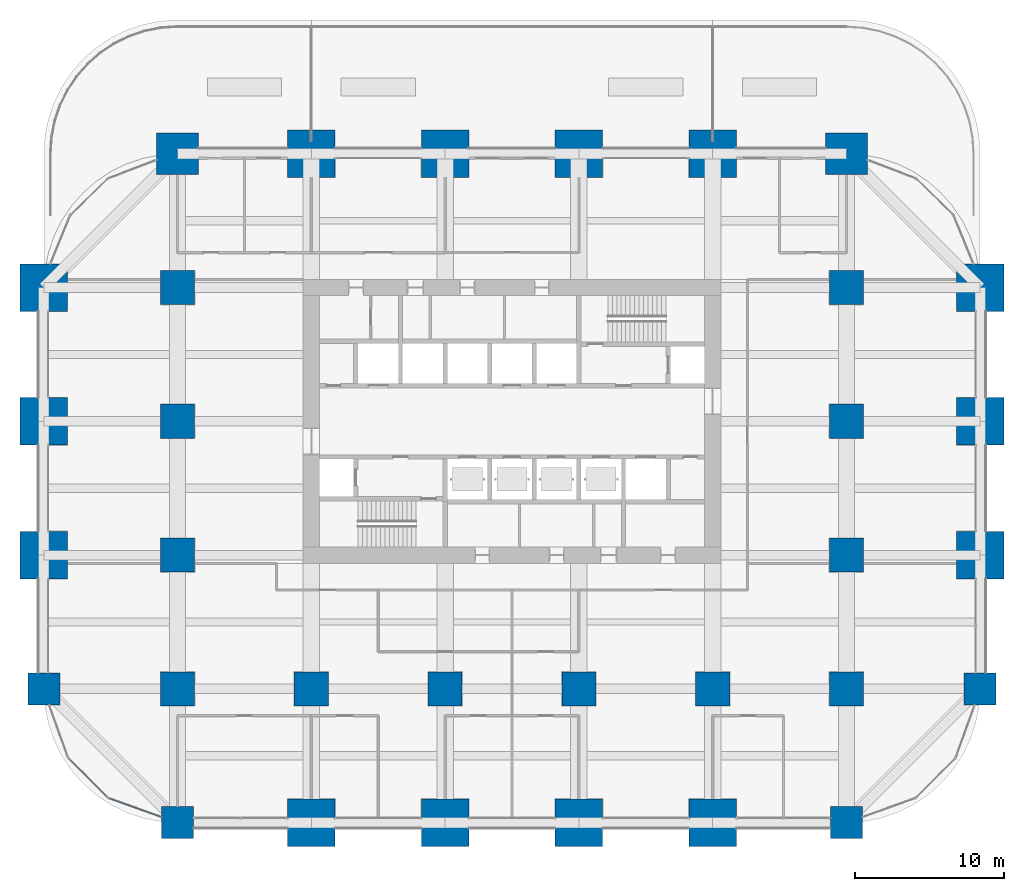
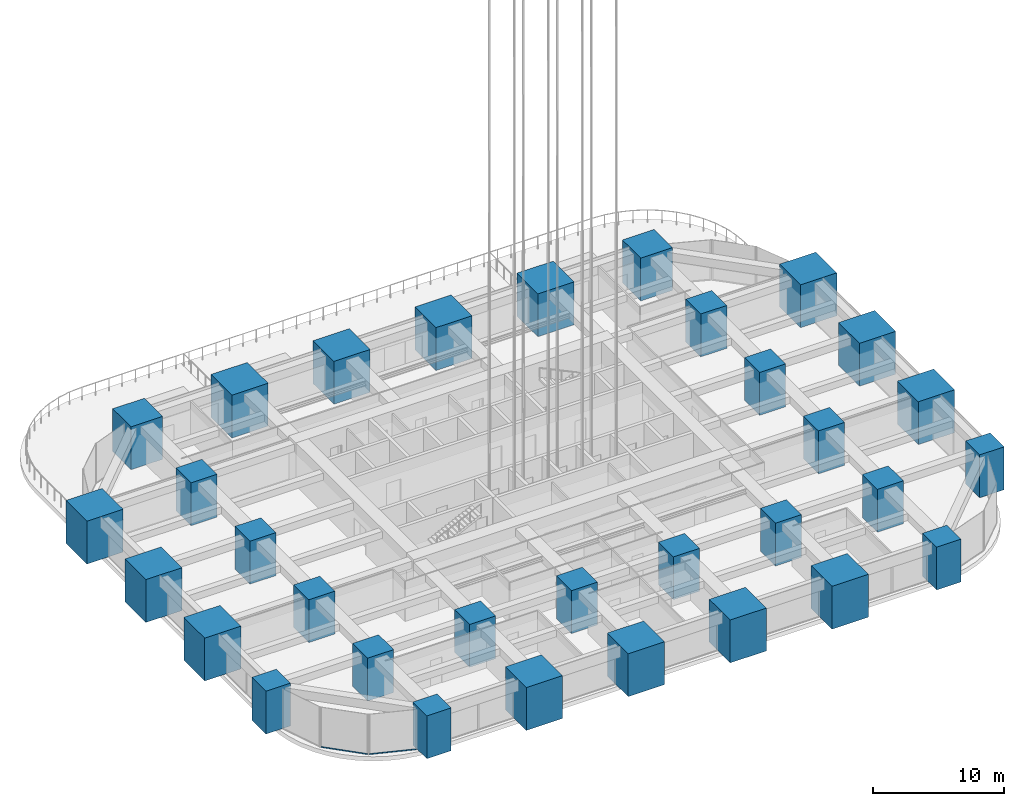
# One storey, part 1 of 50: 32 columns, 2 members, 2 elements without a shape of their own.
"""IFC4 building model written with IfcOpenShell, lengths in metres."""

import ifcopenshell
import ifcopenshell.guid

model = None  # the IFC model being written
_history = None  # IfcOwnerHistory: only IFC2X3 demands one
_inside = {}  # id of a spatial element -> (the spatial element, [elements in it])
_under = {}  # id of a project, library or spatial element -> (it, [spatial elements below it])
_declared = {}  # id of a project -> (the project, [libraries it declares])
_typed = {}  # id of a type object -> (the type object, [elements of that type])
_made_of = {}  # id of a material, layer set ... -> (it, [elements and type objects made of it])


def new_model(schema):
    """Start an empty IFC model of exactly this schema.

    Asked for "IFC4X3", IfcOpenShell would pick the latest addendum, in which some entities
    have other attributes; the version numbers below select the first issue.
    IFC2X3 requires an IfcOwnerHistory on every rooted entity: one is made here for all.
    """
    global model, _history
    if schema == "IFC4X3":
        model = ifcopenshell.file(schema_version=(4, 3, 0, 0))
    else:
        model = ifcopenshell.file(schema=schema)
    _inside.clear()
    _under.clear()
    _declared.clear()
    _typed.clear()
    _made_of.clear()
    _history = None
    if model.schema == "IFC2X3":
        org = make("IfcOrganization", Name="unknown")
        user = make(
            "IfcPersonAndOrganization",
            ThePerson=make("IfcPerson", FamilyName="unknown"),
            TheOrganization=org,
        )
        app = make(
            "IfcApplication",
            ApplicationDeveloper=org,
            Version="unknown",
            ApplicationFullName="unknown",
            ApplicationIdentifier="unknown",
        )
        _history = make(
            "IfcOwnerHistory",
            OwningUser=user,
            OwningApplication=app,
            ChangeAction="ADDED",
            CreationDate=0,
        )
    return model


def make(cls, **values):
    """One entity of the class cls with the attributes given. An attribute that is None is left unset."""
    return model.create_entity(
        cls, **{name: value for name, value in values.items() if value is not None}
    )


def rooted(cls, **values):
    """An entity with a GlobalId (a new one), such as an element, a storey or a relation."""
    return make(cls, GlobalId=ifcopenshell.guid.new(), OwnerHistory=_history, **values)


def si_unit(unit_type, name, prefix=None):
    """IfcSIUnit, for example si_unit("LENGTHUNIT", "METRE", prefix="MILLI")."""
    return make("IfcSIUnit", UnitType=unit_type, Prefix=prefix, Name=name)


def assignment(units):
    """IfcUnitAssignment: the units of a project."""
    return None if units is None else make("IfcUnitAssignment", Units=units)


def point(xyz):
    """IfcCartesianPoint."""
    return None if xyz is None else make("IfcCartesianPoint", Coordinates=xyz)


def direction(xyz):
    """IfcDirection."""
    return None if xyz is None else make("IfcDirection", DirectionRatios=xyz)


def frame(location, z_axis=None, x_axis=None):
    """IfcAxis2Placement3D, a coordinate frame: its origin and axes. An axis left out is left unset."""
    return make(
        "IfcAxis2Placement3D",
        Location=point(location),
        Axis=direction(z_axis),
        RefDirection=direction(x_axis),
    )


def frame_2d(location, x_axis=None):
    """IfcAxis2Placement2D, a coordinate frame in the plane: its origin and x axis."""
    return make(
        "IfcAxis2Placement2D", Location=point(location), RefDirection=direction(x_axis)
    )


def origin():
    """The frame at (0, 0, 0) with its axes left unset."""
    return frame((0.0, 0.0, 0.0))


def origin_2d():
    """The frame at (0, 0) in the plane with its x axis left unset."""
    return frame_2d((0.0, 0.0))


def place(relative_to, where):
    """IfcLocalPlacement: puts the frame where relative to a parent placement (None: the world)."""
    return make(
        "IfcLocalPlacement", PlacementRelTo=relative_to, RelativePlacement=where
    )


def context(
    kind, dimensions, precision=None, world=None, true_north=None, identifier=None
):
    """IfcGeometricRepresentationContext, for example the 3D "Model" context."""
    return make(
        "IfcGeometricRepresentationContext",
        ContextIdentifier=identifier,
        ContextType=kind,
        CoordinateSpaceDimension=dimensions,
        Precision=precision,
        WorldCoordinateSystem=world,
        TrueNorth=true_north,
    )


def subcontext(parent, identifier, kind, view, scale=None):
    """IfcGeometricRepresentationSubContext, for example "Body" below "Model"."""
    return make(
        "IfcGeometricRepresentationSubContext",
        ContextIdentifier=identifier,
        ContextType=kind,
        ParentContext=parent,
        TargetScale=scale,
        TargetView=view,
    )


def project(units=None, contexts=None):
    """IfcProject with its units and contexts."""
    return rooted(
        "IfcProject",
        Name="project",
        RepresentationContexts=contexts,
        UnitsInContext=assignment(units),
    )


def spatial(cls, under=None, at=None, **own):
    """A site, building, storey or space (cls), placed at a placement, below another one or the project."""
    s = rooted(cls, ObjectPlacement=at, **own)
    if under is not None:
        _under.setdefault(under.id(), (under, []))[1].append(s)
    return s


def profile(cls, at=None, kind="AREA", **sizes):
    """A parametric profile (cls). Its sizes go by their IFC names, for example OverallWidth=200.0."""
    return make(cls, ProfileType=kind, Position=at, **sizes)


def rectangle(**sizes):
    """IfcRectangleProfileDef."""
    return profile("IfcRectangleProfileDef", **sizes)


def hollow_rectangle(**sizes):
    """IfcRectangleHollowProfileDef."""
    return profile("IfcRectangleHollowProfileDef", **sizes)


def extrude(swept, where, along, depth):
    """IfcExtrudedAreaSolid: the profile swept, set in the frame where, extruded along a direction by depth."""
    return make(
        "IfcExtrudedAreaSolid",
        SweptArea=swept,
        Position=where,
        ExtrudedDirection=direction(along),
        Depth=depth,
    )


def shape(context_of_items, identifier, shape_type, items):
    """IfcShapeRepresentation: the items that make up one representation, for example the "Body"."""
    return make(
        "IfcShapeRepresentation",
        ContextOfItems=context_of_items,
        RepresentationIdentifier=identifier,
        RepresentationType=shape_type,
        Items=items,
    )


def material(Name=None, Category=None):
    """IfcMaterial."""
    return make("IfcMaterial", Name=Name, Category=Category)


def material_profile(
    of_material, cross_section, Name=None, Category=None, Priority=None
):
    """IfcMaterialProfile: a cross section and its material."""
    return make(
        "IfcMaterialProfile",
        Name=Name,
        Material=of_material,
        Profile=cross_section,
        Priority=Priority,
        Category=Category,
    )


def profile_set(profiles, Name=None, composite=None):
    """IfcMaterialProfileSet."""
    return make(
        "IfcMaterialProfileSet",
        Name=Name,
        MaterialProfiles=profiles,
        CompositeProfile=composite,
    )


def made_of(thing, what):
    """Note that an element or type object is made of a material, layer set ...; save() writes the relation."""
    if what is not None:
        _made_of.setdefault(what.id(), (what, []))[1].append(thing)
    return thing


def type_object(cls, material=None, **own):
    """A type object (cls), such as IfcWallType, which elements share."""
    return made_of(rooted(cls, **own), material)


def element(
    cls,
    number,
    at=None,
    inside=None,
    cuts=None,
    type_object=None,
    material=None,
    context=None,
    identifier="Body",
    shape_type=None,
    held_by="IfcProductDefinitionShape",
    body=None,
    shapes=None,
    **own,
):
    """One element of the class cls, such as IfcWall. Its Tag is "e" and its number.

    at: its placement. inside: the storey or other place that contains it. cuts: it is an
    opening in that element (IfcRelVoidsElement). A single representation is given by context,
    identifier, shape_type and body (its items); several are given by shapes. held_by: the class
    of the entity that holds the representations. save() writes the other relations.
    """
    e = rooted(cls, Tag="e%d" % number, ObjectPlacement=at, **own)
    if body is not None:
        shapes = [shape(context, identifier, shape_type, body)]
    if shapes is not None:
        e.Representation = make(held_by, Representations=shapes)
    if inside is not None:
        _inside.setdefault(inside.id(), (inside, []))[1].append(e)
    if cuts is not None:
        rooted(
            "IfcRelVoidsElement", RelatingBuildingElement=cuts, RelatedOpeningElement=e
        )
    if type_object is not None:
        _typed.setdefault(type_object.id(), (type_object, []))[1].append(e)
    return made_of(e, material)


def aggregate(whole, parts):
    """IfcRelAggregates: a whole, such as a stair, and the parts it consists of."""
    return rooted("IfcRelAggregates", RelatingObject=whole, RelatedObjects=parts)


def save(model, path):
    """Write the relations noted so far, then the file.

    IfcRelAggregates (storeys below a building ...), IfcRelContainedInSpatialStructure (elements
    in a storey), IfcRelDefinesByType, IfcRelAssociatesMaterial and IfcRelDeclares: one each for
    every whole, place, type object, material and project.
    """
    for whole, parts in _under.values():
        aggregate(whole, parts)
    for where, things in _inside.values():
        rooted(
            "IfcRelContainedInSpatialStructure",
            RelatedElements=things,
            RelatingStructure=where,
        )
    for kind, things in _typed.values():
        rooted("IfcRelDefinesByType", RelatedObjects=things, RelatingType=kind)
    for what, things in _made_of.values():
        rooted("IfcRelAssociatesMaterial", RelatedObjects=things, RelatingMaterial=what)
    for by, libraries in _declared.values():
        rooted("IfcRelDeclares", RelatingContext=by, RelatedDefinitions=libraries)
    model.write(path)


model = new_model("IFC4")

# Units and contexts
model_context = context("Model", 3, precision=1e-05, world=origin(), true_north=direction((0.0, 1.0)))
body_context = subcontext(model_context, "Body", "Model", "MODEL_VIEW")
ifc_project = project(units=[si_unit("LENGTHUNIT", "METRE"), si_unit("AREAUNIT", "SQUARE_METRE"), si_unit("VOLUMEUNIT", "CUBIC_METRE"), si_unit("PLANEANGLEUNIT", "RADIAN"), si_unit("MASSUNIT", "GRAM", prefix="KILO")], contexts=[model_context])

# Site, building, storey
site_placement = place(None, origin())
site = spatial("IfcSite", under=ifc_project, at=site_placement, CompositionType="ELEMENT")
building_placement = place(site_placement, origin())
building = spatial("IfcBuilding", under=site, at=building_placement, Name="Zorevar Civic Tower", CompositionType="ELEMENT")
storey_placement = place(building_placement, frame((0.0, 0.0, 85.0)))
storey = spatial("IfcBuildingStorey", under=building, at=storey_placement, Name="L20", CompositionType="ELEMENT", Elevation=85.0)

# Columns
ifc_material_1 = material(Name="Concrete C50/60", Category="concrete")
ifc_material_profile_1 = material_profile(ifc_material_1, rectangle(XDim=2.14990234375, YDim=2.14990234375, at=origin_2d()), Name="RC 2150x2150")
ifc_profile_set_1 = profile_set([ifc_material_profile_1], Name="Concrete C50/60")
column_type_1 = type_object("IfcColumnType", Name="Column RC 2150x2150", PredefinedType="COLUMN", material=ifc_profile_set_1)
for number, where, z_axis, x_axis, name in (
    (1, (0.0, 9.0, 0.0), (0.0, 0.0, 1.0), (1.0, 0.0, 0.0), "Column 2B L20"),
    (2, (9.0, 0.0, 0.0), (0.0, 0.0, 1.0), (1.0, 0.0, 0.0), "Column 3A L20"),
    (3, (54.0, 0.0, 0.0), (0.0, 0.0, 1.0), (1.0, 0.0, 0.0), "Column 8A L20"),
    (4, (63.0, 9.0, 0.0), (0.0, 0.0, 1.0), (1.0, 0.0, 0.0), "Column 9B L20"),
):
    element("IfcColumn", number, at=place(storey_placement, frame(where, z_axis=z_axis, x_axis=x_axis)), inside=storey, type_object=column_type_1, Name=name, PredefinedType="COLUMN", context=body_context, shape_type="SweptSolid", body=[
        extrude(rectangle(XDim=2.14990234375, YDim=2.14990234375, at=origin_2d()), origin(), (0.0, 0.0, 1.0), 4.0),
    ])
ifc_material_2 = material(Name="Concrete C50/60", Category="concrete")
ifc_material_profile_2 = material_profile(ifc_material_2, rectangle(XDim=2.300048828125, YDim=2.300048828125, at=origin_2d()), Name="RC 2300x2300")
ifc_profile_set_2 = profile_set([ifc_material_profile_2], Name="Concrete C50/60")
column_type_2 = type_object("IfcColumnType", Name="Column RC 2300x2300", PredefinedType="COLUMN", material=ifc_profile_set_2)
for number, where, z_axis, x_axis, name in (
    (5, (9.0, 9.0, 0.0), (0.0, 0.0, 1.0), (1.0, 0.0, 0.0), "Column 3B L20"),
    (6, (9.0, 18.0, 0.0), (0.0, 0.0, 1.0), (1.0, 0.0, 0.0), "Column 3C L20"),
    (7, (9.0, 27.0, 0.0), (0.0, 0.0, 1.0), (1.0, 0.0, 0.0), "Column 3D L20"),
    (8, (9.0, 36.0, 0.0), (0.0, 0.0, 1.0), (1.0, 0.0, 0.0), "Column 3E L20"),
    (9, (18.0, 9.0, 0.0), (0.0, 0.0, 1.0), (1.0, 0.0, 0.0), "Column 4B L20"),
    (10, (27.0, 9.0, 0.0), (0.0, 0.0, 1.0), (1.0, 0.0, 0.0), "Column 5B L20"),
    (11, (36.0, 9.0, 0.0), (0.0, 0.0, 1.0), (1.0, 0.0, 0.0), "Column 6B L20"),
    (12, (45.0, 9.0, 0.0), (0.0, 0.0, 1.0), (1.0, 0.0, 0.0), "Column 7B L20"),
    (13, (54.0, 9.0, 0.0), (0.0, 0.0, 1.0), (1.0, 0.0, 0.0), "Column 8B L20"),
    (14, (54.0, 18.0, 0.0), (0.0, 0.0, 1.0), (1.0, 0.0, 0.0), "Column 8C L20"),
    (15, (54.0, 27.0, 0.0), (0.0, 0.0, 1.0), (1.0, 0.0, 0.0), "Column 8D L20"),
    (16, (54.0, 36.0, 0.0), (0.0, 0.0, 1.0), (1.0, 0.0, 0.0), "Column 8E L20"),
):
    element("IfcColumn", number, at=place(storey_placement, frame(where, z_axis=z_axis, x_axis=x_axis)), inside=storey, type_object=column_type_2, Name=name, PredefinedType="COLUMN", context=body_context, shape_type="SweptSolid", body=[
        extrude(rectangle(XDim=2.300048828125, YDim=2.300048828125, at=origin_2d()), origin(), (0.0, 0.0, 1.0), 4.0),
    ])
ifc_material_3 = material(Name="Concrete C50/60", Category="concrete")
ifc_material_profile_3 = material_profile(ifc_material_3, rectangle(XDim=2.800048828125, YDim=2.800048828125, at=origin_2d()), Name="RC 2800x2800")
ifc_profile_set_3 = profile_set([ifc_material_profile_3], Name="Concrete C50/60")
column_type_3 = type_object("IfcColumnType", Name="Column RC 2800x2800", PredefinedType="COLUMN", material=ifc_profile_set_3)
for number, where, z_axis, x_axis, name in (
    (17, (9.0, 45.0, 0.0), (0.0, 0.0, 1.0), (1.0, 0.0, 0.0), "Column 3F L20"),
    (18, (54.0, 45.0, 0.0), (0.0, 0.0, 1.0), (1.0, 0.0, 0.0), "Column 8F L20"),
):
    element("IfcColumn", number, at=place(storey_placement, frame(where, z_axis=z_axis, x_axis=x_axis)), inside=storey, type_object=column_type_3, Name=name, PredefinedType="COLUMN", context=body_context, shape_type="SweptSolid", body=[
        extrude(rectangle(XDim=2.800048828125, YDim=2.800048828125, at=origin_2d()), origin(), (0.0, 0.0, 1.0), 4.0),
    ])
ifc_material_4 = material(Name="Concrete C50/60", Category="concrete")
ifc_material_profile_4 = material_profile(ifc_material_4, rectangle(XDim=3.199951171875, YDim=3.199951171875, at=origin_2d()), Name="RC 3200x3200")
ifc_profile_set_4 = profile_set([ifc_material_profile_4], Name="Concrete C50/60")
column_type_4 = type_object("IfcColumnType", Name="Mega column RC 3200x3200", PredefinedType="COLUMN", material=ifc_profile_set_4)
for number, where, z_axis, x_axis, name in (
    (19, (0.0, 18.0, 0.0), (0.0, 0.0, 1.0), (1.0, 0.0, 0.0), "Column 2C L20"),
    (20, (0.0, 27.0, 0.0), (0.0, 0.0, 1.0), (1.0, 0.0, 0.0), "Column 2D L20"),
    (21, (0.0, 36.0, 0.0), (0.0, 0.0, 1.0), (1.0, 0.0, 0.0), "Column 2E L20"),
    (22, (18.0, 0.0, 0.0), (0.0, 0.0, 1.0), (1.0, 0.0, 0.0), "Column 4A L20"),
    (23, (18.0, 45.0, 0.0), (0.0, 0.0, 1.0), (1.0, 0.0, 0.0), "Column 4F L20"),
    (24, (27.0, 0.0, 0.0), (0.0, 0.0, 1.0), (1.0, 0.0, 0.0), "Column 5A L20"),
    (25, (27.0, 45.0, 0.0), (0.0, 0.0, 1.0), (1.0, 0.0, 0.0), "Column 5F L20"),
    (26, (36.0, 0.0, 0.0), (0.0, 0.0, 1.0), (1.0, 0.0, 0.0), "Column 6A L20"),
    (27, (36.0, 45.0, 0.0), (0.0, 0.0, 1.0), (1.0, 0.0, 0.0), "Column 6F L20"),
    (28, (45.0, 0.0, 0.0), (0.0, 0.0, 1.0), (1.0, 0.0, 0.0), "Column 7A L20"),
    (29, (45.0, 45.0, 0.0), (0.0, 0.0, 1.0), (1.0, 0.0, 0.0), "Column 7F L20"),
    (30, (63.0, 18.0, 0.0), (0.0, 0.0, 1.0), (1.0, 0.0, 0.0), "Column 9C L20"),
    (31, (63.0, 27.0, 0.0), (0.0, 0.0, 1.0), (1.0, 0.0, 0.0), "Column 9D L20"),
    (32, (63.0, 36.0, 0.0), (0.0, 0.0, 1.0), (1.0, 0.0, 0.0), "Column 9E L20"),
):
    element("IfcColumn", number, at=place(storey_placement, frame(where, z_axis=z_axis, x_axis=x_axis)), inside=storey, type_object=column_type_4, Name=name, PredefinedType="COLUMN", context=body_context, shape_type="SweptSolid", body=[
        extrude(rectangle(XDim=3.199951171875, YDim=3.199951171875, at=origin_2d()), origin(), (0.0, 0.0, 1.0), 4.0),
    ])

# Curtain wall, member
ifc_material_5 = material(Name="Dark grey solar-control glass in black aluminium frame", Category="aluminium")
curtain_wall_type = type_object("IfcCurtainWallType", Name="Curtain wall CW3 mid zone", PredefinedType="NOTDEFINED", material=ifc_material_5)
curtain_wall_1_placement = place(storey_placement, origin())
curtain_wall_1 = element("IfcCurtainWall", 33, at=curtain_wall_1_placement, inside=storey, type_object=curtain_wall_type, Name="CW3 L20", PredefinedType="NOTDEFINED")
ifc_material_6 = material(Name="Aluminium, black anodised", Category="aluminium")
ifc_material_profile_5 = material_profile(ifc_material_6, hollow_rectangle(XDim=0.06005859375, YDim=0.1201171875, WallThickness=0.0029296875, at=origin_2d()), Name="AL 120x60x3")
ifc_profile_set_5 = profile_set([ifc_material_profile_5], Name="Aluminium, black anodised")
member_type = type_object("IfcMemberType", Name="CW3 transom AL 120x60x3", PredefinedType="USERDEFINED", material=ifc_profile_set_5)
member_1_placement = place(storey_placement, frame((1.694091796875, 4.30029296875, 0.030029296875), z_axis=(0.707106781187, -0.707106781187, 0.0), x_axis=(0.707106781187, 0.707106781187, 0.0)))
member_1 = element("IfcMember", 34, at=member_1_placement, type_object=member_type, Name="CW3 sill transom", ObjectType="TRANSOM", PredefinedType="USERDEFINED", context=body_context, shape_type="SweptSolid", body=[
    extrude(hollow_rectangle(XDim=0.06005859375, YDim=0.1201171875, WallThickness=0.0029296875, at=origin_2d()), origin(), (0.0, 0.0, 1.0), 3.685791015625),
])
aggregate(curtain_wall_1, [member_1])

curtain_wall_2_placement = place(storey_placement, origin())
curtain_wall_2 = element("IfcCurtainWall", 35, at=curtain_wall_2_placement, inside=storey, type_object=curtain_wall_type, Name="CW3 L20", PredefinedType="NOTDEFINED")
member_2_placement = place(storey_placement, frame((4.399169921875, 1.63134765625, 0.030029296875), z_axis=(0.941279438392, -0.33762852199, 0.0), x_axis=(0.33762852199, 0.941279438392, 0.0)))
member_2 = element("IfcMember", 36, at=member_2_placement, type_object=member_type, Name="CW3 sill transom", ObjectType="TRANSOM", PredefinedType="USERDEFINED", context=body_context, shape_type="SweptSolid", body=[
    extrude(hollow_rectangle(XDim=0.06005859375, YDim=0.1201171875, WallThickness=0.0029296875, at=origin_2d()), origin(), (0.0, 0.0, 1.0), 3.685546875),
])
aggregate(curtain_wall_2, [member_2])

save(model, "model.ifc")
